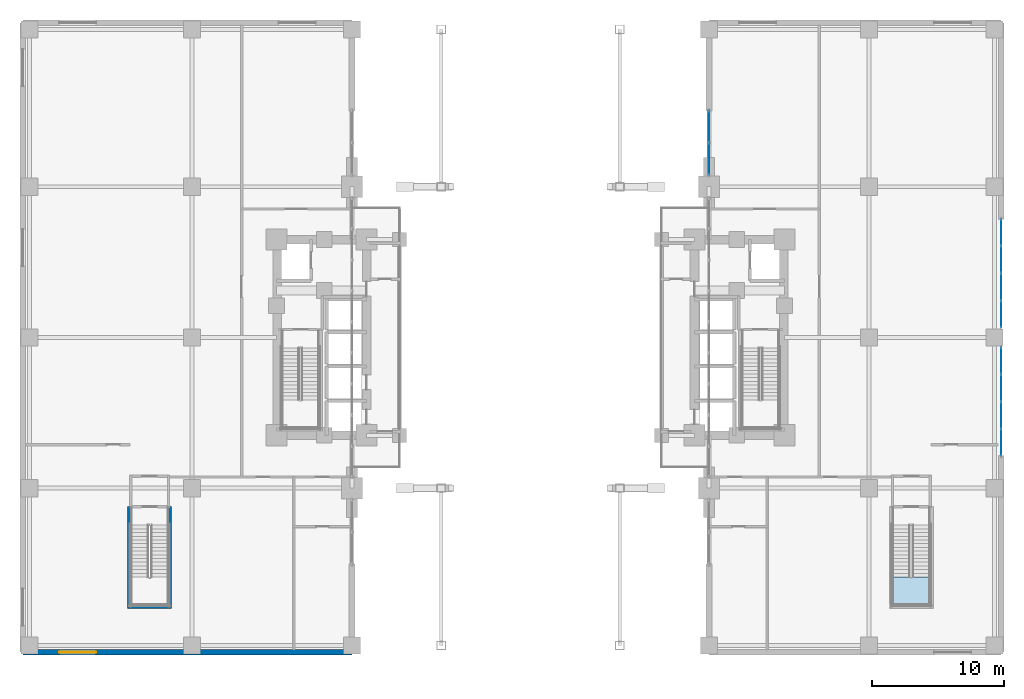
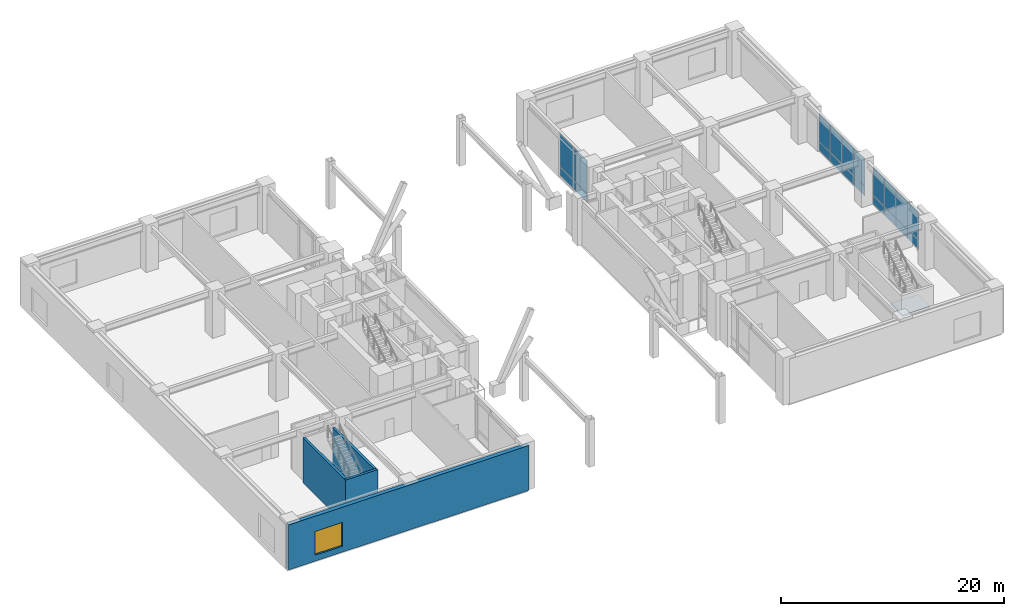
# One storey, part 18 of 26: 20 plates, 4 walls, 1 slab, 1 window, 1 opening, 4 elements without a shape of their own.
"""IFC4 building model written with IfcOpenShell, lengths in metres."""

from ifc_helpers import new_model, si_unit, direction, frame, frame_2d, origin, origin_2d, place, context, subcontext, project, spatial, polyline, rectangle, outline, extrude, material, layer, layer_set, type_object, element, fill, aggregate, save


model = new_model("IFC4")

# Units and contexts
model_context = context("Model", 3, precision=1e-05, world=origin(), true_north=direction((0.0, 1.0)))
body_context = subcontext(model_context, "Body", "Model", "MODEL_VIEW")
ifc_project = project(units=[si_unit("LENGTHUNIT", "METRE"), si_unit("AREAUNIT", "SQUARE_METRE"), si_unit("VOLUMEUNIT", "CUBIC_METRE"), si_unit("PLANEANGLEUNIT", "RADIAN"), si_unit("MASSUNIT", "GRAM", prefix="KILO")], contexts=[model_context])

# Site, building, storey
site_placement = place(None, origin())
site = spatial("IfcSite", under=ifc_project, at=site_placement, CompositionType="ELEMENT")
building_placement = place(site_placement, origin())
building = spatial("IfcBuilding", under=site, at=building_placement, Name="Voryun Gate Residences", CompositionType="ELEMENT")
storey_placement = place(building_placement, frame((0.0, 0.0, 10.39990234375)))
storey = spatial("IfcBuildingStorey", under=building, at=storey_placement, Name="L02", CompositionType="ELEMENT", Elevation=10.39990234375)

# Curtain wall, plates
ifc_material_1 = material(Name="Anodised aluminium", Category="aluminium")
ifc_layer_1 = layer(ifc_material_1, 0.219970703125, Name="CW_SYS_POD_DARK_GLASS")
ifc_layer_set_1 = layer_set([ifc_layer_1], Name="Anodised aluminium")
curtain_wall_type_1 = type_object("IfcCurtainWallType", Name="CW_SYS_POD_DARK_GLASS", PredefinedType="NOTDEFINED", material=ifc_layer_set_1)
curtain_wall_1_placement = place(storey_placement, origin())
curtain_wall_1 = element("IfcCurtainWall", 1, at=curtain_wall_1_placement, inside=storey, type_object=curtain_wall_type_1, Name="Curtain wall CW1-L02-EPE-S", PredefinedType="NOTDEFINED")
ifc_material_2 = material(Name="Laminated low-E glass", Category="glass")
ifc_layer_2 = layer(ifc_material_2, 0.048095703125, Name="PLT_GLASS_DARK_POD")
ifc_layer_set_2 = layer_set([ifc_layer_2], Name="Laminated low-E glass")
plate_type = type_object("IfcPlateType", Name="PLT_GLASS_DARK_POD", PredefinedType="CURTAIN_PANEL", material=ifc_layer_set_2)
plate_1_placement = place(storey_placement, frame((35.60009765625, -7.94677734375, 0.06005859375), z_axis=(0.0, 0.0, 1.0), x_axis=(0.0, 1.0, 0.0)))
plate_1 = element("IfcPlate", 2, at=plate_1_placement, type_object=plate_type, Name="CW1 panel 1.1", PredefinedType="CURTAIN_PANEL", context=body_context, shape_type="SweptSolid", body=[
    extrude(rectangle(XDim=1.986328125, YDim=0.028076171875, at=origin_2d()), origin(), (0.0, 0.0, 1.0), 0.9599609375),
])
plate_2_placement = place(storey_placement, frame((35.60009765625, -7.94677734375, 1.080078125), z_axis=(0.0, 0.0, 1.0), x_axis=(0.0, 1.0, 0.0)))
plate_2 = element("IfcPlate", 3, at=plate_2_placement, type_object=plate_type, Name="CW1 panel 1.2", PredefinedType="CURTAIN_PANEL", context=body_context, shape_type="SweptSolid", body=[
    extrude(rectangle(XDim=1.986328125, YDim=0.028076171875, at=origin_2d()), origin(), (0.0, 0.0, 1.0), 3.06005859375),
])
plate_3_placement = place(storey_placement, frame((35.60009765625, -5.8857421875, 0.06005859375), z_axis=(0.0, 0.0, 1.0), x_axis=(0.0, 1.0, 0.0)))
plate_3 = element("IfcPlate", 4, at=plate_3_placement, type_object=plate_type, Name="CW1 panel 2.1", PredefinedType="CURTAIN_PANEL", context=body_context, shape_type="SweptSolid", body=[
    extrude(rectangle(XDim=2.016357421875, YDim=0.028076171875, at=origin_2d()), origin(), (0.0, 0.0, 1.0), 0.9599609375),
])
plate_4_placement = place(storey_placement, frame((35.60009765625, -5.8857421875, 1.080078125), z_axis=(0.0, 0.0, 1.0), x_axis=(0.0, 1.0, 0.0)))
plate_4 = element("IfcPlate", 5, at=plate_4_placement, type_object=plate_type, Name="CW1 panel 2.2", PredefinedType="CURTAIN_PANEL", context=body_context, shape_type="SweptSolid", body=[
    extrude(rectangle(XDim=2.016357421875, YDim=0.028076171875, at=origin_2d()), origin(), (0.0, 0.0, 1.0), 3.06005859375),
])
plate_5_placement = place(storey_placement, frame((35.60009765625, -3.809326171875, 0.06005859375), z_axis=(0.0, 0.0, 1.0), x_axis=(0.0, 1.0, 0.0)))
plate_5 = element("IfcPlate", 6, at=plate_5_placement, type_object=plate_type, Name="CW1 panel 3.1", PredefinedType="CURTAIN_PANEL", context=body_context, shape_type="SweptSolid", body=[
    extrude(rectangle(XDim=2.016357421875, YDim=0.028076171875, at=origin_2d()), origin(), (0.0, 0.0, 1.0), 0.9599609375),
])
plate_6_placement = place(storey_placement, frame((35.60009765625, -3.809326171875, 1.080078125), z_axis=(0.0, 0.0, 1.0), x_axis=(0.0, 1.0, 0.0)))
plate_6 = element("IfcPlate", 7, at=plate_6_placement, type_object=plate_type, Name="CW1 panel 3.2", PredefinedType="CURTAIN_PANEL", context=body_context, shape_type="SweptSolid", body=[
    extrude(rectangle(XDim=2.016357421875, YDim=0.028076171875, at=origin_2d()), origin(), (0.0, 0.0, 1.0), 3.06005859375),
])
plate_7_placement = place(storey_placement, frame((35.60009765625, -1.748046875, 0.06005859375), z_axis=(0.0, 0.0, 1.0), x_axis=(0.0, 1.0, 0.0)))
plate_7 = element("IfcPlate", 8, at=plate_7_placement, type_object=plate_type, Name="CW1 panel 4.1", PredefinedType="CURTAIN_PANEL", context=body_context, shape_type="SweptSolid", body=[
    extrude(rectangle(XDim=1.986328125, YDim=0.028076171875, at=origin_2d()), origin(), (0.0, 0.0, 1.0), 0.9599609375),
])
plate_8_placement = place(storey_placement, frame((35.60009765625, -1.748046875, 1.080078125), z_axis=(0.0, 0.0, 1.0), x_axis=(0.0, 1.0, 0.0)))
plate_8 = element("IfcPlate", 9, at=plate_8_placement, type_object=plate_type, Name="CW1 panel 4.2", PredefinedType="CURTAIN_PANEL", context=body_context, shape_type="SweptSolid", body=[
    extrude(rectangle(XDim=1.986328125, YDim=0.028076171875, at=origin_2d()), origin(), (0.0, 0.0, 1.0), 3.06005859375),
])
aggregate(curtain_wall_1, [plate_1, plate_2, plate_3, plate_4, plate_5, plate_6, plate_7, plate_8])

curtain_wall_2_placement = place(storey_placement, origin())
curtain_wall_2 = element("IfcCurtainWall", 10, at=curtain_wall_2_placement, inside=storey, type_object=curtain_wall_type_1, Name="Curtain wall CW1-L02-EPE-N", PredefinedType="NOTDEFINED")
plate_9_placement = place(storey_placement, frame((35.60009765625, 1.748046875, 0.06005859375), z_axis=(0.0, 0.0, 1.0), x_axis=(0.0, 1.0, 0.0)))
plate_9 = element("IfcPlate", 11, at=plate_9_placement, type_object=plate_type, Name="CW1 panel 1.1", PredefinedType="CURTAIN_PANEL", context=body_context, shape_type="SweptSolid", body=[
    extrude(rectangle(XDim=1.986328125, YDim=0.028076171875, at=origin_2d()), origin(), (0.0, 0.0, 1.0), 0.9599609375),
])
plate_10_placement = place(storey_placement, frame((35.60009765625, 1.748046875, 1.080078125), z_axis=(0.0, 0.0, 1.0), x_axis=(0.0, 1.0, 0.0)))
plate_10 = element("IfcPlate", 12, at=plate_10_placement, type_object=plate_type, Name="CW1 panel 1.2", PredefinedType="CURTAIN_PANEL", context=body_context, shape_type="SweptSolid", body=[
    extrude(rectangle(XDim=1.986328125, YDim=0.028076171875, at=origin_2d()), origin(), (0.0, 0.0, 1.0), 3.06005859375),
])
plate_11_placement = place(storey_placement, frame((35.60009765625, 3.809326171875, 0.06005859375), z_axis=(0.0, 0.0, 1.0), x_axis=(0.0, 1.0, 0.0)))
plate_11 = element("IfcPlate", 13, at=plate_11_placement, type_object=plate_type, Name="CW1 panel 2.1", PredefinedType="CURTAIN_PANEL", context=body_context, shape_type="SweptSolid", body=[
    extrude(rectangle(XDim=2.016357421875, YDim=0.028076171875, at=origin_2d()), origin(), (0.0, 0.0, 1.0), 0.9599609375),
])
plate_12_placement = place(storey_placement, frame((35.60009765625, 3.809326171875, 1.080078125), z_axis=(0.0, 0.0, 1.0), x_axis=(0.0, 1.0, 0.0)))
plate_12 = element("IfcPlate", 14, at=plate_12_placement, type_object=plate_type, Name="CW1 panel 2.2", PredefinedType="CURTAIN_PANEL", context=body_context, shape_type="SweptSolid", body=[
    extrude(rectangle(XDim=2.016357421875, YDim=0.028076171875, at=origin_2d()), origin(), (0.0, 0.0, 1.0), 3.06005859375),
])
plate_13_placement = place(storey_placement, frame((35.60009765625, 5.8857421875, 0.06005859375), z_axis=(0.0, 0.0, 1.0), x_axis=(0.0, 1.0, 0.0)))
plate_13 = element("IfcPlate", 15, at=plate_13_placement, type_object=plate_type, Name="CW1 panel 3.1", PredefinedType="CURTAIN_PANEL", context=body_context, shape_type="SweptSolid", body=[
    extrude(rectangle(XDim=2.016357421875, YDim=0.028076171875, at=origin_2d()), origin(), (0.0, 0.0, 1.0), 0.9599609375),
])
plate_14_placement = place(storey_placement, frame((35.60009765625, 5.8857421875, 1.080078125), z_axis=(0.0, 0.0, 1.0), x_axis=(0.0, 1.0, 0.0)))
plate_14 = element("IfcPlate", 16, at=plate_14_placement, type_object=plate_type, Name="CW1 panel 3.2", PredefinedType="CURTAIN_PANEL", context=body_context, shape_type="SweptSolid", body=[
    extrude(rectangle(XDim=2.016357421875, YDim=0.028076171875, at=origin_2d()), origin(), (0.0, 0.0, 1.0), 3.06005859375),
])
plate_15_placement = place(storey_placement, frame((35.60009765625, 7.94677734375, 0.06005859375), z_axis=(0.0, 0.0, 1.0), x_axis=(0.0, 1.0, 0.0)))
plate_15 = element("IfcPlate", 17, at=plate_15_placement, type_object=plate_type, Name="CW1 panel 4.1", PredefinedType="CURTAIN_PANEL", context=body_context, shape_type="SweptSolid", body=[
    extrude(rectangle(XDim=1.986328125, YDim=0.028076171875, at=origin_2d()), origin(), (0.0, 0.0, 1.0), 0.9599609375),
])
plate_16_placement = place(storey_placement, frame((35.60009765625, 7.94677734375, 1.080078125), z_axis=(0.0, 0.0, 1.0), x_axis=(0.0, 1.0, 0.0)))
plate_16 = element("IfcPlate", 18, at=plate_16_placement, type_object=plate_type, Name="CW1 panel 4.2", PredefinedType="CURTAIN_PANEL", context=body_context, shape_type="SweptSolid", body=[
    extrude(rectangle(XDim=1.986328125, YDim=0.028076171875, at=origin_2d()), origin(), (0.0, 0.0, 1.0), 3.06005859375),
])
aggregate(curtain_wall_2, [plate_9, plate_10, plate_11, plate_12, plate_13, plate_14, plate_15, plate_16])

ifc_material_3 = material(Name="Anodised aluminium", Category="aluminium")
ifc_layer_3 = layer(ifc_material_3, 0.239990234375, Name="CW_SYS_ARCH_DARK_GLASS")
ifc_layer_set_3 = layer_set([ifc_layer_3], Name="Anodised aluminium")
curtain_wall_type_2 = type_object("IfcCurtainWallType", Name="CW_SYS_ARCH_DARK_GLASS", PredefinedType="NOTDEFINED", material=ifc_layer_set_3)
curtain_wall_3_placement = place(storey_placement, origin())
curtain_wall_3 = element("IfcCurtainWall", 19, at=curtain_wall_3_placement, inside=storey, type_object=curtain_wall_type_2, Name="Curtain wall CW2-L02-EP-N", PredefinedType="NOTDEFINED")
plate_17_placement = place(storey_placement, frame((13.5, 13.498779296875, 0.06005859375), z_axis=(0.0, 0.0, 1.0), x_axis=(0.0, 1.0, 0.0)))
plate_17 = element("IfcPlate", 20, at=plate_17_placement, type_object=plate_type, Name="CW2 panel 1.1", PredefinedType="CURTAIN_PANEL", context=body_context, shape_type="SweptSolid", body=[
    extrude(rectangle(XDim=2.387451171875, YDim=0.028076171875, at=origin_2d()), origin(), (0.0, 0.0, 1.0), 0.9599609375),
])
plate_18_placement = place(storey_placement, frame((13.5, 13.498779296875, 1.080078125), z_axis=(0.0, 0.0, 1.0), x_axis=(0.0, 1.0, 0.0)))
plate_18 = element("IfcPlate", 21, at=plate_18_placement, type_object=plate_type, Name="CW2 panel 1.2", PredefinedType="CURTAIN_PANEL", context=body_context, shape_type="SweptSolid", body=[
    extrude(rectangle(XDim=2.387451171875, YDim=0.028076171875, at=origin_2d()), origin(), (0.0, 0.0, 1.0), 3.56005859375),
])
plate_19_placement = place(storey_placement, frame((13.5, 15.9462890625, 0.06005859375), z_axis=(0.0, 0.0, 1.0), x_axis=(0.0, 1.0, 0.0)))
plate_19 = element("IfcPlate", 22, at=plate_19_placement, type_object=plate_type, Name="CW2 panel 2.1", PredefinedType="CURTAIN_PANEL", context=body_context, shape_type="SweptSolid", body=[
    extrude(rectangle(XDim=2.387451171875, YDim=0.028076171875, at=origin_2d()), origin(), (0.0, 0.0, 1.0), 0.9599609375),
])
plate_20_placement = place(storey_placement, frame((13.5, 15.9462890625, 1.080078125), z_axis=(0.0, 0.0, 1.0), x_axis=(0.0, 1.0, 0.0)))
plate_20 = element("IfcPlate", 23, at=plate_20_placement, type_object=plate_type, Name="CW2 panel 2.2", PredefinedType="CURTAIN_PANEL", context=body_context, shape_type="SweptSolid", body=[
    extrude(rectangle(XDim=2.387451171875, YDim=0.028076171875, at=origin_2d()), origin(), (0.0, 0.0, 1.0), 3.56005859375),
])
aggregate(curtain_wall_3, [plate_17, plate_18, plate_19, plate_20])

# Stair, slab
ifc_material_4 = material(Name="Concrete C40/50", Category="concrete")
stair_type = type_object("IfcStairType", Name="STR_CROWN_DOGLEG_1250", PredefinedType="HALF_TURN_STAIR", material=ifc_material_4)
stair_placement = place(storey_placement, origin())
stair = element("IfcStair", 24, at=stair_placement, inside=storey, type_object=stair_type, Name="L02 Special Escape Stair ST-P2", PredefinedType="HALF_TURN_STAIR")
ifc_material_5 = material(Name="Concrete C40/50", Category="concrete")
ifc_layer_4 = layer(ifc_material_5, 0.199951171875, Name="SLB_STAIR_LANDING_200")
ifc_layer_set_4 = layer_set([ifc_layer_4], Name="Concrete C40/50")
slab_type = type_object("IfcSlabType", Name="SLB_STAIR_LANDING_200", PredefinedType="LANDING", material=ifc_layer_set_4)
slab_placement = place(storey_placement, frame((0.0, 0.0, 2.400146484375)))
slab = element("IfcSlab", 25, at=slab_placement, type_object=slab_type, Name="ST-P2 landing 1", PredefinedType="LANDING", context=body_context, shape_type="SweptSolid", body=[
    extrude(outline(polyline([(27.375, -18.1201171875), (27.375, -20.25), (30.22509765625, -20.25), (30.22509765625, -18.1201171875), (27.375, -18.1201171875)])), origin(), (0.0, 0.0, 1.0), 0.199951171875),
])
aggregate(stair, [slab])

# Wall, opening, window
ifc_material_6 = material(Name="Granite masonry", Category="masonry")
ifc_layer_5 = layer(ifc_material_6, 0.419921875, Name="W_EXT_PODIUM_420")
ifc_layer_set_5 = layer_set([ifc_layer_5], Name="Granite masonry")
wall_type_1 = type_object("IfcWallType", Name="W_EXT_PODIUM_420", PredefinedType="ELEMENTEDWALL", material=ifc_layer_set_5)
wall_1_placement = place(storey_placement, frame((-38.39990234375, -23.800048828125, 0.0), z_axis=(0.0, 0.0, 1.0), x_axis=(1.0, 0.0, 0.0)))
wall_1 = element("IfcWall", 26, at=wall_1_placement, inside=storey, type_object=wall_type_1, Name="Exterior wall WEP-L02-WP-1", PredefinedType="ELEMENTEDWALL", context=body_context, shape_type="SweptSolid", body=[
    extrude(rectangle(XDim=24.89990234375, YDim=0.419921875, at=frame_2d((12.449951171875, 0.0))), origin(), (0.0, 0.0, 1.0), 4.920166015625),
])
opening_placement = place(wall_1_placement, frame((2.75, 0.0, 0.64990234375)))
opening = element("IfcOpeningElement", 27, at=opening_placement, cuts=wall_1, Name="Opening WN5", PredefinedType="OPENING", context=body_context, shape_type="SweptSolid", body=[
    extrude(rectangle(XDim=2.800048828125, YDim=2.60009765625, at=frame_2d((1.39990234375, 1.300048828125))), frame((0.0, 0.219970703125, 0.0), z_axis=(0.0, -1.0, 0.0), x_axis=(1.0, 0.0, 0.0)), (0.0, 0.0, 1.0), 0.43994140625),
])
ifc_material_7 = material(Name="Laminated low-E glass", Category="glass")
window_type = type_object("IfcWindowType", Name="WN_POD_GALLERY_2800", PartitioningType="SINGLE_PANEL", PredefinedType="WINDOW", material=ifc_material_7)
window_placement = place(opening_placement, origin())
window = element("IfcWindow", 28, at=window_placement, inside=storey, type_object=window_type, Name="Window WN-L02-WP-1-01", OverallHeight=2.60009765625, OverallWidth=2.800048828125, PartitioningType="SINGLE_PANEL", PredefinedType="WINDOW", context=body_context, shape_type="SweptSolid", body=[
    extrude(rectangle(XDim=2.800048828125, YDim=2.60009765625, at=frame_2d((1.39990234375, 1.300048828125))), frame((0.0, 0.030029296875, 0.0), z_axis=(0.0, -1.0, 0.0), x_axis=(1.0, 0.0, 0.0)), (0.0, 0.0, 1.0), 0.06005859375),
])
fill(opening, window)

# Walls
ifc_material_8 = material(Name="Concrete C50/60", Category="concrete")
ifc_layer_6 = layer(ifc_material_8, 0.25, Name="W_SHAFT_RC250")
ifc_layer_set_6 = layer_set([ifc_layer_6], Name="Concrete C50/60")
wall_type_2 = type_object("IfcWallType", Name="W_SHAFT_RC250", PredefinedType="SOLIDWALL", material=ifc_layer_set_6)
for number, where, z_axis, x_axis, name in (
    (29, (-30.340087890625, -20.485107421875, 0.0), (0.0, 0.0, 1.0), (0.0, 1.0, 0.0), "L02 Podium stair structural wall STP1-W"),
    (30, (-27.260009765625, -20.485107421875, 0.0), (0.0, 0.0, 1.0), (0.0, 1.0, 0.0), "L02 Podium stair structural wall STP1-E"),
):
    element("IfcWall", number, at=place(storey_placement, frame(where, z_axis=z_axis, x_axis=x_axis)), inside=storey, type_object=wall_type_2, Name=name, PredefinedType="SOLIDWALL", context=body_context, shape_type="SweptSolid", body=[
        extrude(rectangle(XDim=7.68505859375, YDim=0.25, at=frame_2d((3.842529296875, 0.0))), origin(), (0.0, 0.0, 1.0), 4.920166015625),
    ])
wall_2_placement = place(storey_placement, frame((-30.4599609375, -20.364990234375, 0.0), z_axis=(0.0, 0.0, 1.0), x_axis=(1.0, 0.0, 0.0)))
element("IfcWall", 31, at=wall_2_placement, inside=storey, type_object=wall_type_2, Name="L02 Podium stair structural wall STP1-S", PredefinedType="SOLIDWALL", context=body_context, shape_type="SweptSolid", body=[
    extrude(rectangle(XDim=3.320068359375, YDim=0.25, at=frame_2d((1.66015625, 0.0))), origin(), (0.0, 0.0, 1.0), 4.920166015625),
])

save(model, "model.ifc")
